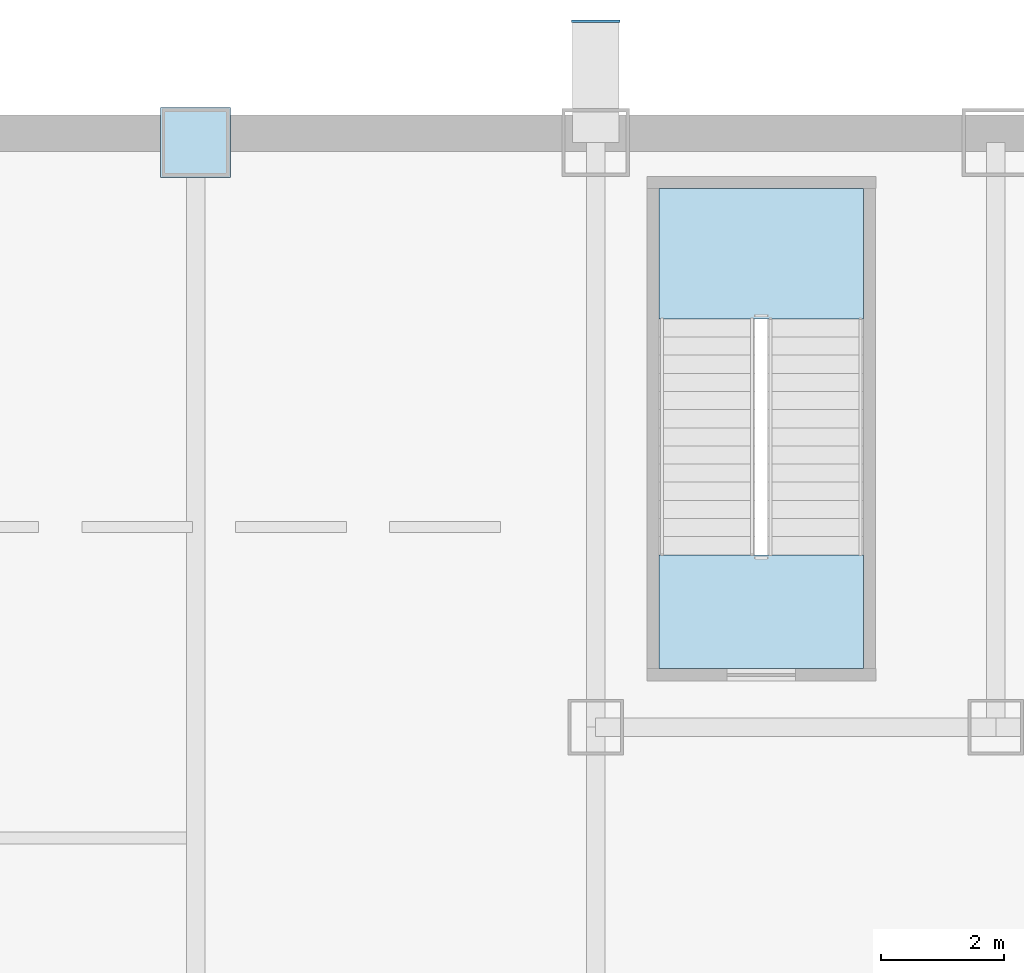
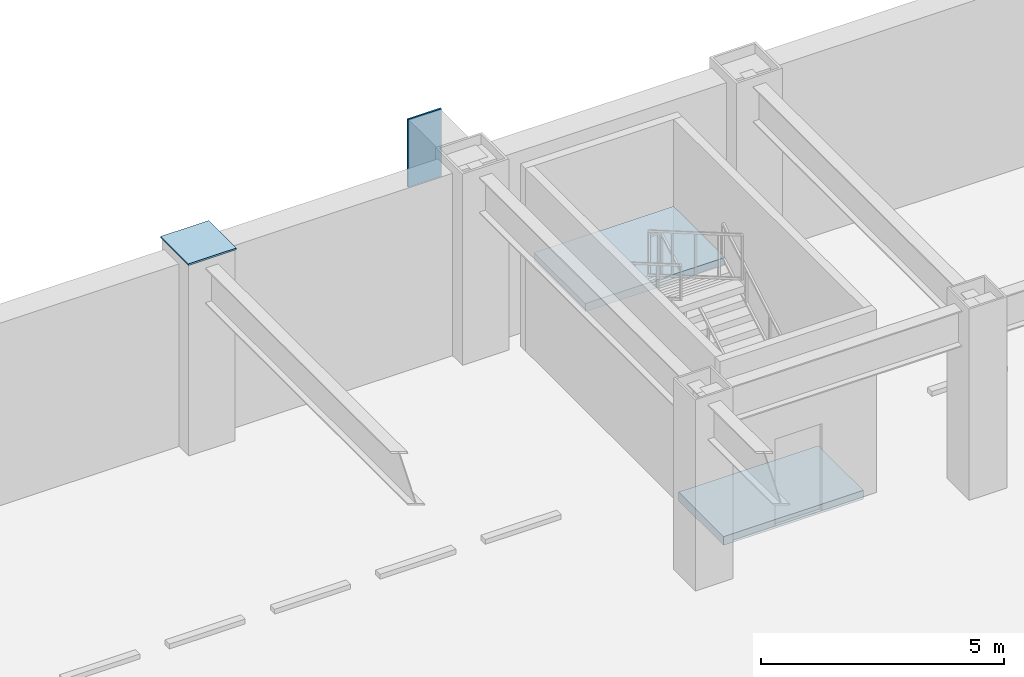
# One storey, part 5 of 10: 2 plates, 2 slabs, 1 element without a shape of its own.
"""IFC4 building model written with IfcOpenShell, lengths in metres."""

import ifcopenshell
import ifcopenshell.guid

model = None  # the IFC model being written
_history = None  # IfcOwnerHistory: only IFC2X3 demands one
_inside = {}  # id of a spatial element -> (the spatial element, [elements in it])
_under = {}  # id of a project, library or spatial element -> (it, [spatial elements below it])
_declared = {}  # id of a project -> (the project, [libraries it declares])
_typed = {}  # id of a type object -> (the type object, [elements of that type])
_made_of = {}  # id of a material, layer set ... -> (it, [elements and type objects made of it])


def new_model(schema):
    """Start an empty IFC model of exactly this schema.

    Asked for "IFC4X3", IfcOpenShell would pick the latest addendum, in which some entities
    have other attributes; the version numbers below select the first issue.
    IFC2X3 requires an IfcOwnerHistory on every rooted entity: one is made here for all.
    """
    global model, _history
    if schema == "IFC4X3":
        model = ifcopenshell.file(schema_version=(4, 3, 0, 0))
    else:
        model = ifcopenshell.file(schema=schema)
    _inside.clear()
    _under.clear()
    _declared.clear()
    _typed.clear()
    _made_of.clear()
    _history = None
    if model.schema == "IFC2X3":
        org = make("IfcOrganization", Name="unknown")
        user = make(
            "IfcPersonAndOrganization",
            ThePerson=make("IfcPerson", FamilyName="unknown"),
            TheOrganization=org,
        )
        app = make(
            "IfcApplication",
            ApplicationDeveloper=org,
            Version="unknown",
            ApplicationFullName="unknown",
            ApplicationIdentifier="unknown",
        )
        _history = make(
            "IfcOwnerHistory",
            OwningUser=user,
            OwningApplication=app,
            ChangeAction="ADDED",
            CreationDate=0,
        )
    return model


def make(cls, **values):
    """One entity of the class cls with the attributes given. An attribute that is None is left unset."""
    return model.create_entity(
        cls, **{name: value for name, value in values.items() if value is not None}
    )


def rooted(cls, **values):
    """An entity with a GlobalId (a new one), such as an element, a storey or a relation."""
    return make(cls, GlobalId=ifcopenshell.guid.new(), OwnerHistory=_history, **values)


def si_unit(unit_type, name, prefix=None):
    """IfcSIUnit, for example si_unit("LENGTHUNIT", "METRE", prefix="MILLI")."""
    return make("IfcSIUnit", UnitType=unit_type, Prefix=prefix, Name=name)


def assignment(units):
    """IfcUnitAssignment: the units of a project."""
    return None if units is None else make("IfcUnitAssignment", Units=units)


def point(xyz):
    """IfcCartesianPoint."""
    return None if xyz is None else make("IfcCartesianPoint", Coordinates=xyz)


def direction(xyz):
    """IfcDirection."""
    return None if xyz is None else make("IfcDirection", DirectionRatios=xyz)


def frame(location, z_axis=None, x_axis=None):
    """IfcAxis2Placement3D, a coordinate frame: its origin and axes. An axis left out is left unset."""
    return make(
        "IfcAxis2Placement3D",
        Location=point(location),
        Axis=direction(z_axis),
        RefDirection=direction(x_axis),
    )


def frame_2d(location, x_axis=None):
    """IfcAxis2Placement2D, a coordinate frame in the plane: its origin and x axis."""
    return make(
        "IfcAxis2Placement2D", Location=point(location), RefDirection=direction(x_axis)
    )


def origin():
    """The frame at (0, 0, 0) with its axes left unset."""
    return frame((0.0, 0.0, 0.0))


def origin_2d():
    """The frame at (0, 0) in the plane with its x axis left unset."""
    return frame_2d((0.0, 0.0))


def place(relative_to, where):
    """IfcLocalPlacement: puts the frame where relative to a parent placement (None: the world)."""
    return make(
        "IfcLocalPlacement", PlacementRelTo=relative_to, RelativePlacement=where
    )


def context(
    kind, dimensions, precision=None, world=None, true_north=None, identifier=None
):
    """IfcGeometricRepresentationContext, for example the 3D "Model" context."""
    return make(
        "IfcGeometricRepresentationContext",
        ContextIdentifier=identifier,
        ContextType=kind,
        CoordinateSpaceDimension=dimensions,
        Precision=precision,
        WorldCoordinateSystem=world,
        TrueNorth=true_north,
    )


def subcontext(parent, identifier, kind, view, scale=None):
    """IfcGeometricRepresentationSubContext, for example "Body" below "Model"."""
    return make(
        "IfcGeometricRepresentationSubContext",
        ContextIdentifier=identifier,
        ContextType=kind,
        ParentContext=parent,
        TargetScale=scale,
        TargetView=view,
    )


def project(units=None, contexts=None):
    """IfcProject with its units and contexts."""
    return rooted(
        "IfcProject",
        Name="project",
        RepresentationContexts=contexts,
        UnitsInContext=assignment(units),
    )


def spatial(cls, under=None, at=None, **own):
    """A site, building, storey or space (cls), placed at a placement, below another one or the project."""
    s = rooted(cls, ObjectPlacement=at, **own)
    if under is not None:
        _under.setdefault(under.id(), (under, []))[1].append(s)
    return s


def polyline(points):
    """IfcPolyline through the points."""
    return make("IfcPolyline", Points=[point(p) for p in points])


def profile(cls, at=None, kind="AREA", **sizes):
    """A parametric profile (cls). Its sizes go by their IFC names, for example OverallWidth=200.0."""
    return make(cls, ProfileType=kind, Position=at, **sizes)


def rectangle(**sizes):
    """IfcRectangleProfileDef."""
    return profile("IfcRectangleProfileDef", **sizes)


def outline(outer, holes=None, kind="AREA"):
    """IfcArbitraryClosedProfileDef: a profile drawn as a closed curve; with holes, ...WithVoids."""
    if holes is None:
        return make("IfcArbitraryClosedProfileDef", ProfileType=kind, OuterCurve=outer)
    return make(
        "IfcArbitraryProfileDefWithVoids",
        ProfileType=kind,
        OuterCurve=outer,
        InnerCurves=holes,
    )


def extrude(swept, where, along, depth):
    """IfcExtrudedAreaSolid: the profile swept, set in the frame where, extruded along a direction by depth."""
    return make(
        "IfcExtrudedAreaSolid",
        SweptArea=swept,
        Position=where,
        ExtrudedDirection=direction(along),
        Depth=depth,
    )


def shape(context_of_items, identifier, shape_type, items):
    """IfcShapeRepresentation: the items that make up one representation, for example the "Body"."""
    return make(
        "IfcShapeRepresentation",
        ContextOfItems=context_of_items,
        RepresentationIdentifier=identifier,
        RepresentationType=shape_type,
        Items=items,
    )


def material(Name=None, Category=None):
    """IfcMaterial."""
    return make("IfcMaterial", Name=Name, Category=Category)


def layer(
    of_material, thickness, ventilated=None, Name=None, Category=None, Priority=None
):
    """IfcMaterialLayer: one layer of a wall or slab, of a material (None: an air gap)."""
    return make(
        "IfcMaterialLayer",
        Material=of_material,
        LayerThickness=thickness,
        IsVentilated=ventilated,
        Name=Name,
        Category=Category,
        Priority=Priority,
    )


def layer_set(layers, Name=None):
    """IfcMaterialLayerSet."""
    return make("IfcMaterialLayerSet", MaterialLayers=layers, LayerSetName=Name)


def made_of(thing, what):
    """Note that an element or type object is made of a material, layer set ...; save() writes the relation."""
    if what is not None:
        _made_of.setdefault(what.id(), (what, []))[1].append(thing)
    return thing


def type_object(cls, material=None, **own):
    """A type object (cls), such as IfcWallType, which elements share."""
    return made_of(rooted(cls, **own), material)


def element(
    cls,
    number,
    at=None,
    inside=None,
    cuts=None,
    type_object=None,
    material=None,
    context=None,
    identifier="Body",
    shape_type=None,
    held_by="IfcProductDefinitionShape",
    body=None,
    shapes=None,
    **own,
):
    """One element of the class cls, such as IfcWall. Its Tag is "e" and its number.

    at: its placement. inside: the storey or other place that contains it. cuts: it is an
    opening in that element (IfcRelVoidsElement). A single representation is given by context,
    identifier, shape_type and body (its items); several are given by shapes. held_by: the class
    of the entity that holds the representations. save() writes the other relations.
    """
    e = rooted(cls, Tag="e%d" % number, ObjectPlacement=at, **own)
    if body is not None:
        shapes = [shape(context, identifier, shape_type, body)]
    if shapes is not None:
        e.Representation = make(held_by, Representations=shapes)
    if inside is not None:
        _inside.setdefault(inside.id(), (inside, []))[1].append(e)
    if cuts is not None:
        rooted(
            "IfcRelVoidsElement", RelatingBuildingElement=cuts, RelatedOpeningElement=e
        )
    if type_object is not None:
        _typed.setdefault(type_object.id(), (type_object, []))[1].append(e)
    return made_of(e, material)


def aggregate(whole, parts):
    """IfcRelAggregates: a whole, such as a stair, and the parts it consists of."""
    return rooted("IfcRelAggregates", RelatingObject=whole, RelatedObjects=parts)


def save(model, path):
    """Write the relations noted so far, then the file.

    IfcRelAggregates (storeys below a building ...), IfcRelContainedInSpatialStructure (elements
    in a storey), IfcRelDefinesByType, IfcRelAssociatesMaterial and IfcRelDeclares: one each for
    every whole, place, type object, material and project.
    """
    for whole, parts in _under.values():
        aggregate(whole, parts)
    for where, things in _inside.values():
        rooted(
            "IfcRelContainedInSpatialStructure",
            RelatedElements=things,
            RelatingStructure=where,
        )
    for kind, things in _typed.values():
        rooted("IfcRelDefinesByType", RelatedObjects=things, RelatingType=kind)
    for what, things in _made_of.values():
        rooted("IfcRelAssociatesMaterial", RelatedObjects=things, RelatingMaterial=what)
    for by, libraries in _declared.values():
        rooted("IfcRelDeclares", RelatingContext=by, RelatedDefinitions=libraries)
    model.write(path)


model = new_model("IFC4")

# Units and contexts
model_context = context("Model", 3, precision=1e-05, world=origin(), true_north=direction((0.0, 1.0)))
body_context = subcontext(model_context, "Body", "Model", "MODEL_VIEW")
ifc_project = project(units=[si_unit("LENGTHUNIT", "METRE"), si_unit("AREAUNIT", "SQUARE_METRE"), si_unit("VOLUMEUNIT", "CUBIC_METRE"), si_unit("PLANEANGLEUNIT", "RADIAN"), si_unit("MASSUNIT", "GRAM", prefix="KILO")], contexts=[model_context])

# Site, building, storey
site_placement = place(None, origin())
site = spatial("IfcSite", under=ifc_project, at=site_placement, CompositionType="ELEMENT")
building_placement = place(site_placement, origin())
building = spatial("IfcBuilding", under=site, at=building_placement, Name="Brelmoor Portico Tower", CompositionType="ELEMENT")
storey_placement = place(building_placement, frame((0.0, 0.0, -4.800048828125)))
storey = spatial("IfcBuildingStorey", under=building, at=storey_placement, Name="B1", CompositionType="ELEMENT", Elevation=-4.800048828125)

# Plates
ifc_material_1 = material(Name="Steel Q355B", Category="steel")
ifc_layer_1 = layer(ifc_material_1, 0.044921875)
ifc_layer_set_1 = layer_set([ifc_layer_1], Name="Steel Q355B")
plate_type = type_object("IfcPlateType", Name="PT-CAP-650", PredefinedType="SHEET", material=ifc_layer_set_1)
plate_1_placement = place(storey_placement, frame((8.050048828125, 27.550048828125, 4.800048828125), z_axis=(0.0, 0.0, 1.0), x_axis=(1.0, 0.0, 0.0)))
element("IfcPlate", 1, at=plate_1_placement, inside=storey, type_object=plate_type, Name="B1 Perimeter Mega-Column PN13 Welded Head Cap Plate", PredefinedType="SHEET", context=body_context, shape_type="SweptSolid", body=[
    extrude(rectangle(XDim=1.139892578125, YDim=1.139892578125, at=origin_2d()), origin(), (0.0, 0.0, 1.0), 0.0400390625),
])
plate_2_placement = place(storey_placement, frame((14.550048828125, 29.52001953125, 2.89990234375), z_axis=(0.0, 0.0, 1.0), x_axis=(1.0, 0.0, 0.0)))
element("IfcPlate", 2, at=plate_2_placement, inside=storey, type_object=plate_type, Name="B1 Entrance Portal Cantilever End Cap Plate EPB-04", PredefinedType="SHEET", context=body_context, shape_type="SweptSolid", body=[
    extrude(rectangle(XDim=0.7900390625, YDim=0.0400390625, at=origin_2d()), origin(), (0.0, 0.0, 1.0), 1.699951171875),
])

# Stair, slab
ifc_material_2 = material(Name="Concrete C40", Category="concrete")
stair_type = type_object("IfcStairType", Name="ST-POD-P2", PredefinedType="HALF_TURN_STAIR", material=ifc_material_2)
stair_placement = place(storey_placement, origin())
stair = element("IfcStair", 3, at=stair_placement, inside=storey, type_object=stair_type, Name="B1 Podium Protected Exit Stair ST-P2", PredefinedType="HALF_TURN_STAIR")
ifc_layer_2 = layer(ifc_material_2, 0.179931640625)
ifc_layer_set_2 = layer_set([ifc_layer_2], Name="Concrete C40")
slab_type_1 = type_object("IfcSlabType", Name="SL-LANDING-180", PredefinedType="LANDING", material=ifc_layer_set_2)
slab_1_placement = place(storey_placement, frame((0.0, 0.0, 2.199951171875)))
slab_1 = element("IfcSlab", 4, at=slab_1_placement, type_object=slab_type_1, Name="ST-P2 landing 1", PredefinedType="LANDING", context=body_context, shape_type="SweptSolid", body=[
    extrude(outline(polyline([(18.89990234375, 24.68505859375), (18.89990234375, 26.800048828125), (15.580078125, 26.800048828125), (15.580078125, 24.68505859375), (18.89990234375, 24.68505859375)])), origin(), (0.0, 0.0, 1.0), 0.2001953125),
])
aggregate(stair, [slab_1])

# Slab
ifc_layer_3 = layer(ifc_material_2, 0.219970703125)
ifc_layer_set_3 = layer_set([ifc_layer_3], Name="Concrete C40")
slab_type_2 = type_object("IfcSlabType", Name="SL-STAIR-FL220", PredefinedType="LANDING", material=ifc_layer_set_3)
slab_2_placement = place(storey_placement, frame((0.0, 0.0, -0.219970703125)))
element("IfcSlab", 5, at=slab_2_placement, inside=storey, type_object=slab_type_2, Name="B1 ST-P2 Structural Floor Landing Slab", PredefinedType="LANDING", context=body_context, shape_type="SweptSolid", body=[
    extrude(outline(polyline([(18.89990234375, 19.0), (18.89990234375, 20.85009765625), (15.580078125, 20.85009765625), (15.580078125, 19.0), (18.89990234375, 19.0)])), origin(), (0.0, 0.0, 1.0), 0.219970703125),
])

save(model, "model.ifc")
